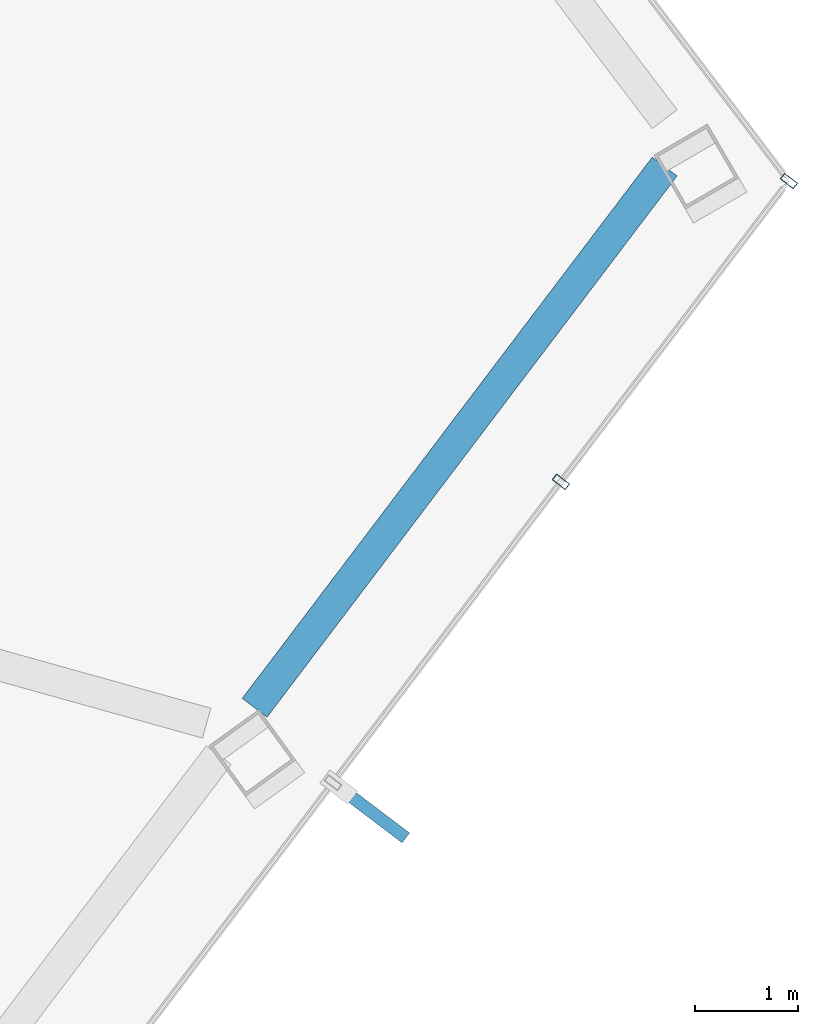
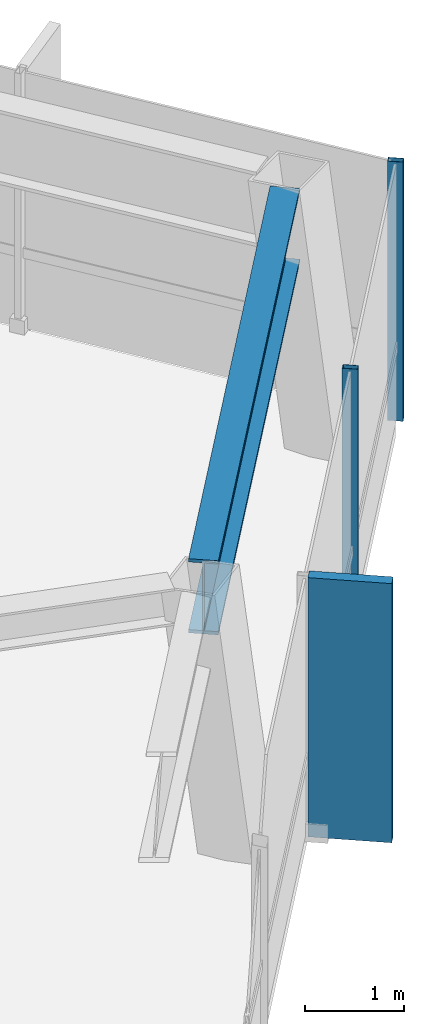
# One storey, part 20 of 27: 3 members, 1 beam, 1 element without a shape of its own.
"""IFC4 building model written with IfcOpenShell, lengths in metres."""

from ifc_helpers import new_model, si_unit, direction, frame, origin, origin_2d, place, context, subcontext, project, spatial, rectangle, hollow_rectangle, i_section, extrude, material, layer, layer_set, material_profile, profile_set, type_object, element, aggregate, save


model = new_model("IFC4")

# Units and contexts
model_context = context("Model", 3, precision=1e-05, world=origin(), true_north=direction((0.0, 1.0)))
body_context = subcontext(model_context, "Body", "Model", "MODEL_VIEW")
ifc_project = project(units=[si_unit("LENGTHUNIT", "METRE"), si_unit("AREAUNIT", "SQUARE_METRE"), si_unit("VOLUMEUNIT", "CUBIC_METRE"), si_unit("PLANEANGLEUNIT", "RADIAN"), si_unit("MASSUNIT", "GRAM", prefix="KILO")], contexts=[model_context])

# Site, building, storey
site_placement = place(None, origin())
site = spatial("IfcSite", under=ifc_project, at=site_placement, CompositionType="ELEMENT")
building_placement = place(site_placement, origin())
building = spatial("IfcBuilding", under=site, at=building_placement, Name="Zarrinselat Tower", CompositionType="ELEMENT")
storey_placement = place(building_placement, frame((0.0, 0.0, 235.9599609375)))
storey = spatial("IfcBuildingStorey", under=building, at=storey_placement, Name="L59", CompositionType="ELEMENT", Elevation=235.9599609375)

# Beam
ifc_material_1 = material(Name="Steel S460M", Category="steel")
ifc_material_profile_1 = material_profile(ifc_material_1, i_section(OverallWidth=0.302001953125, OverallDepth=0.909912109375, WebThickness=0.02099609375, FlangeThickness=0.0400390625, at=origin_2d()), Name="HEM 900")
ifc_profile_set_1 = profile_set([ifc_material_profile_1], Name="Steel S460M")
beam_type = type_object("IfcBeamType", Name="BM-HEM900", PredefinedType="BEAM", material=ifc_profile_set_1)
beam_placement = place(storey_placement, frame((56.673828125, 36.555908203125, 2.72509765625), z_axis=(0.603869116495, 0.797083490071, 0.0), x_axis=(-0.797083490071, 0.603869116495, 0.0)))
element("IfcBeam", 1, at=beam_placement, inside=storey, type_object=beam_type, Name="L59 Perimeter Spandrel Girder SP14", PredefinedType="BEAM", context=body_context, shape_type="SweptSolid", body=[
    extrude(i_section(OverallWidth=0.302001953125, OverallDepth=0.909912109375, WebThickness=0.02099609375, FlangeThickness=0.0400390625, at=origin_2d()), origin(), (0.0, 0.0, 1.0), 6.580810546875),
])

# Curtain wall, members
ifc_material_2 = material(Name="Extruded Aluminium Alloy EN AW-6063 T6", Category="aluminium")
ifc_layer = layer(ifc_material_2, 0.169921875)
ifc_layer_set = layer_set([ifc_layer], Name="Extruded Aluminium Alloy EN AW-6063 T6")
curtain_wall_type = type_object("IfcCurtainWallType", Name="CWS-RES", PredefinedType="NOTDEFINED", material=ifc_layer_set)
curtain_wall_placement = place(storey_placement, origin())
curtain_wall = element("IfcCurtainWall", 2, at=curtain_wall_placement, inside=storey, type_object=curtain_wall_type, Name="L59 Unitised Curtain Wall CW-L59-E05", PredefinedType="NOTDEFINED")
ifc_material_3 = material(Name="Extruded Aluminium Alloy EN AW-6063 T6", Category="aluminium")
ifc_material_profile_2 = material_profile(ifc_material_3, hollow_rectangle(XDim=0.070068359375, YDim=0.159912109375, WallThickness=0.00390625, at=origin_2d()), Name="RHS 160x70x4")
ifc_profile_set_2 = profile_set([ifc_material_profile_2], Name="Extruded Aluminium Alloy EN AW-6063 T6")
member_type_1 = type_object("IfcMemberType", Name="MEM-CW-MUL2", PredefinedType="MULLION", material=ifc_profile_set_2)
member_1_placement = place(storey_placement, frame((59.64306640625, 38.7451171875, 0.0), z_axis=(0.0, 0.0, 1.0), x_axis=(0.603858872188, 0.797091251037, 0.0)))
member_1 = element("IfcMember", 3, at=member_1_placement, type_object=member_type_1, Name="CW-L59-E05 Mullion 8", PredefinedType="MULLION", context=body_context, shape_type="SweptSolid", body=[
    extrude(hollow_rectangle(XDim=0.070068359375, YDim=0.159912109375, WallThickness=0.00390625, at=origin_2d()), origin(), (0.0, 0.0, 1.0), 3.179931640625),
])
member_2_placement = place(storey_placement, frame((61.85205078125, 41.6611328125, 0.0), z_axis=(0.0, 0.0, 1.0), x_axis=(0.603858872188, 0.797091251037, 0.0)))
member_2 = element("IfcMember", 4, at=member_2_placement, type_object=member_type_1, Name="CW-L59-E05 Mullion 9", PredefinedType="MULLION", context=body_context, shape_type="SweptSolid", body=[
    extrude(hollow_rectangle(XDim=0.070068359375, YDim=0.159912109375, WallThickness=0.00390625, at=origin_2d()), origin(), (0.0, 0.0, 1.0), 3.179931640625),
])
ifc_material_4 = material(Name="Honed Cream Travertine Stone", Category="masonry")
ifc_material_profile_3 = material_profile(ifc_material_4, rectangle(XDim=0.1201171875, YDim=0.85009765625, at=origin_2d()), Name="FIN 850x120")
ifc_profile_set_3 = profile_set([ifc_material_profile_3], Name="Honed Cream Travertine Stone")
member_type_2 = type_object("IfcMemberType", Name="MEM-STONE-FIN", PredefinedType="USERDEFINED", material=ifc_profile_set_3)
member_3_placement = place(storey_placement, frame((57.80078125, 35.551513671875, 0.0), z_axis=(0.0, 0.0, 1.0), x_axis=(-0.603858872188, -0.797091251037, 0.0)))
member_3 = element("IfcMember", 5, at=member_3_placement, type_object=member_type_2, Name="L59 Stone Shading Fin CW-L59-E05-07", ObjectType="FIN", PredefinedType="USERDEFINED", context=body_context, shape_type="SweptSolid", body=[
    extrude(rectangle(XDim=0.1201171875, YDim=0.85009765625, at=origin_2d()), origin(), (0.0, 0.0, 1.0), 3.179931640625),
])
aggregate(curtain_wall, [member_3, member_1, member_2])

save(model, "model.ifc")
